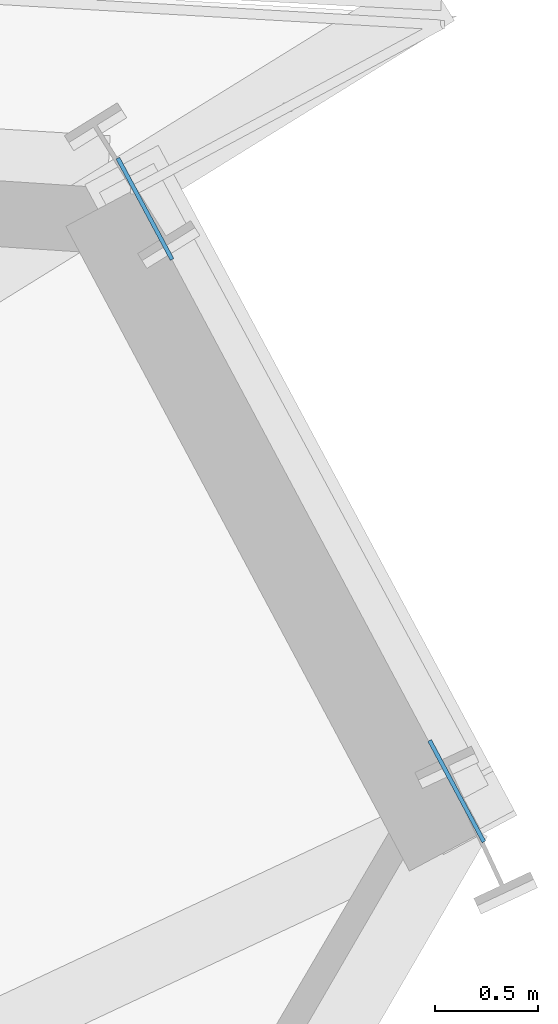
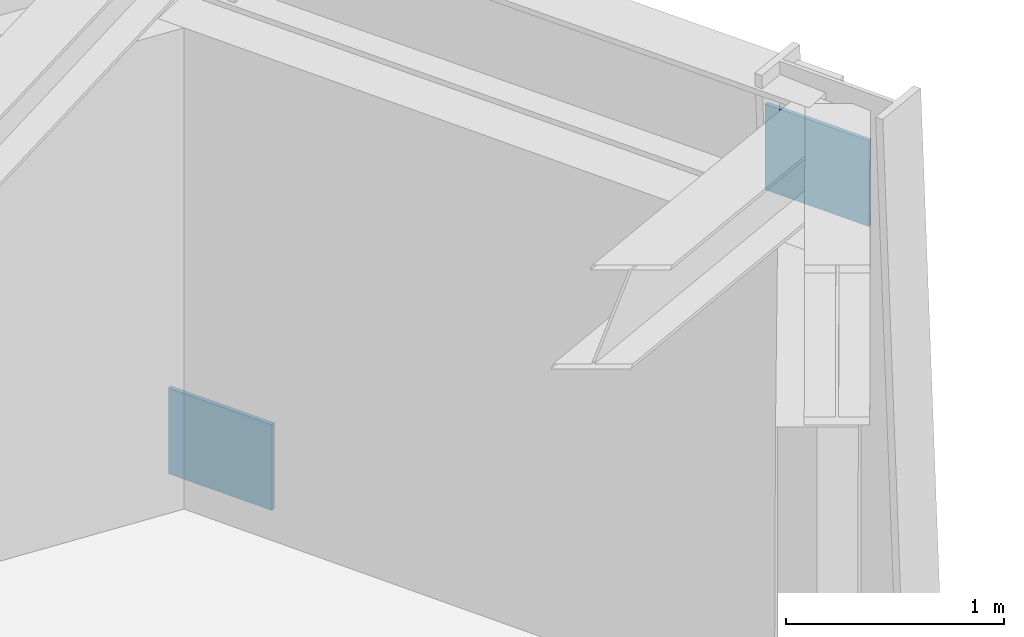
# One storey, part 7 of 15: 2 plates.
"""IFC4 building model written with IfcOpenShell, lengths in metres."""

from ifc_helpers import new_model, si_unit, direction, frame, origin, origin_2d, place, context, subcontext, project, spatial, rectangle, extrude, source, transform, mapped, material, type_object, element, save


model = new_model("IFC4")

# Units and contexts
model_context = context("Model", 3, precision=1e-05, world=origin(), true_north=direction((0.0, 1.0)))
body_context = subcontext(model_context, "Body", "Model", "MODEL_VIEW")
ifc_project = project(units=[si_unit("LENGTHUNIT", "METRE"), si_unit("AREAUNIT", "SQUARE_METRE"), si_unit("VOLUMEUNIT", "CUBIC_METRE"), si_unit("PLANEANGLEUNIT", "RADIAN"), si_unit("MASSUNIT", "GRAM", prefix="KILO")], contexts=[model_context])

# Site, building, storey
site_placement = place(None, origin())
site = spatial("IfcSite", under=ifc_project, at=site_placement, CompositionType="ELEMENT")
building_placement = place(site_placement, origin())
building = spatial("IfcBuilding", under=site, at=building_placement, Name="Olszyna Solenne Hotel", CompositionType="ELEMENT")
storey_placement = place(building_placement, frame((0.0, 0.0, 150.14990234375)))
storey = spatial("IfcBuildingStorey", under=building, at=storey_placement, Name="L39", CompositionType="ELEMENT", Elevation=150.14990234375)

# Plates
ifc_material = material(Name="Steel S355J2", Category="steel")
plate_type = type_object("IfcPlateType", Name="GP-ND2", PredefinedType="USERDEFINED", material=ifc_material)
shared_shape = source(origin(), body_context, "Body", "SweptSolid", [
    extrude(rectangle(XDim=0.56005859375, YDim=0.02001953125, at=origin_2d()), origin(), (0.0, 0.0, 1.0), 0.47998046875),
])
for number, where, z_axis, x_axis, name in (
    (1, (63.199462890625, 42.103515625, -0.138427734375), (0.0, 0.0, 1.0), (0.472089250705, -0.881550758248, 0.0), "Brace end connection gusset plate GP-ND2 EP-BR-L39-1-1"),
    (2, (64.718505859375, 39.266357421875, 2.638671875), (0.0, 0.0, 1.0), (0.472089250705, -0.881550758248, 0.0), "Brace end connection gusset plate GP-ND2 EP-BR-L39-1-2"),
):
    element("IfcPlate", number, at=place(storey_placement, frame(where, z_axis=z_axis, x_axis=x_axis)), inside=storey, type_object=plate_type, Name=name, ObjectType="GUSSET_PLATE", PredefinedType="USERDEFINED", context=body_context, shape_type="MappedRepresentation", body=[
        mapped(shared_shape, transform((0.0, 0.0, 0.0), x_axis=(1.0, 0.0, 0.0), y_axis=(0.0, 1.0, 0.0), z_axis=(0.0, 0.0, 1.0), scale=1.0)),
    ])

save(model, "model.ifc")
